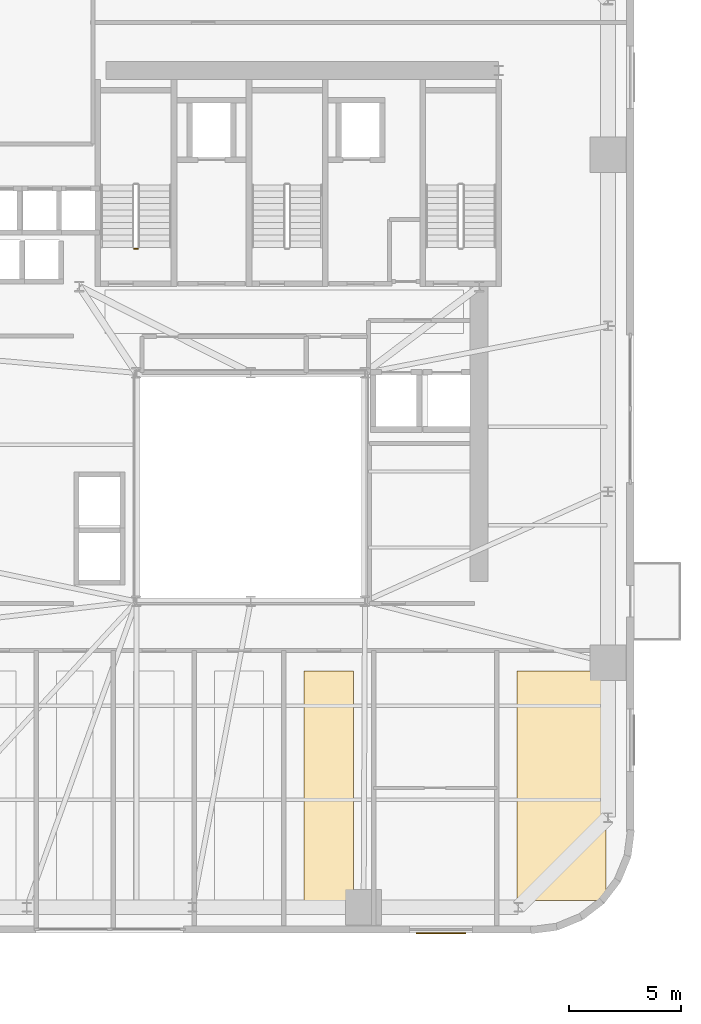
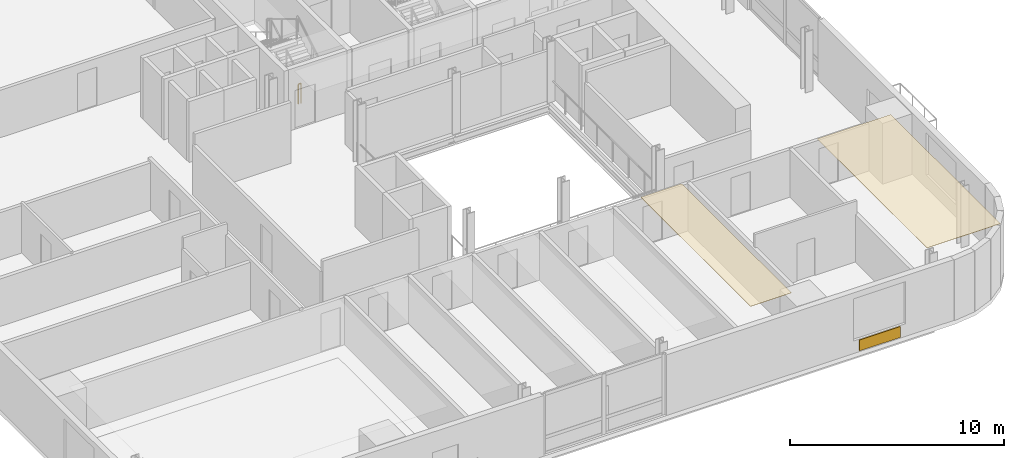
# One storey, part 11 of 14: 3 coverings, 1 railing.
"""IFC4 building model written with IfcOpenShell, lengths in metres."""

import ifcopenshell
import ifcopenshell.guid

model = None  # the IFC model being written
_history = None  # IfcOwnerHistory: only IFC2X3 demands one
_inside = {}  # id of a spatial element -> (the spatial element, [elements in it])
_under = {}  # id of a project, library or spatial element -> (it, [spatial elements below it])
_declared = {}  # id of a project -> (the project, [libraries it declares])
_typed = {}  # id of a type object -> (the type object, [elements of that type])
_made_of = {}  # id of a material, layer set ... -> (it, [elements and type objects made of it])


def new_model(schema):
    """Start an empty IFC model of exactly this schema.

    Asked for "IFC4X3", IfcOpenShell would pick the latest addendum, in which some entities
    have other attributes; the version numbers below select the first issue.
    IFC2X3 requires an IfcOwnerHistory on every rooted entity: one is made here for all.
    """
    global model, _history
    if schema == "IFC4X3":
        model = ifcopenshell.file(schema_version=(4, 3, 0, 0))
    else:
        model = ifcopenshell.file(schema=schema)
    _inside.clear()
    _under.clear()
    _declared.clear()
    _typed.clear()
    _made_of.clear()
    _history = None
    if model.schema == "IFC2X3":
        org = make("IfcOrganization", Name="unknown")
        user = make(
            "IfcPersonAndOrganization",
            ThePerson=make("IfcPerson", FamilyName="unknown"),
            TheOrganization=org,
        )
        app = make(
            "IfcApplication",
            ApplicationDeveloper=org,
            Version="unknown",
            ApplicationFullName="unknown",
            ApplicationIdentifier="unknown",
        )
        _history = make(
            "IfcOwnerHistory",
            OwningUser=user,
            OwningApplication=app,
            ChangeAction="ADDED",
            CreationDate=0,
        )
    return model


def make(cls, **values):
    """One entity of the class cls with the attributes given. An attribute that is None is left unset."""
    return model.create_entity(
        cls, **{name: value for name, value in values.items() if value is not None}
    )


def rooted(cls, **values):
    """An entity with a GlobalId (a new one), such as an element, a storey or a relation."""
    return make(cls, GlobalId=ifcopenshell.guid.new(), OwnerHistory=_history, **values)


def si_unit(unit_type, name, prefix=None):
    """IfcSIUnit, for example si_unit("LENGTHUNIT", "METRE", prefix="MILLI")."""
    return make("IfcSIUnit", UnitType=unit_type, Prefix=prefix, Name=name)


def assignment(units):
    """IfcUnitAssignment: the units of a project."""
    return None if units is None else make("IfcUnitAssignment", Units=units)


def point(xyz):
    """IfcCartesianPoint."""
    return None if xyz is None else make("IfcCartesianPoint", Coordinates=xyz)


def direction(xyz):
    """IfcDirection."""
    return None if xyz is None else make("IfcDirection", DirectionRatios=xyz)


def frame(location, z_axis=None, x_axis=None):
    """IfcAxis2Placement3D, a coordinate frame: its origin and axes. An axis left out is left unset."""
    return make(
        "IfcAxis2Placement3D",
        Location=point(location),
        Axis=direction(z_axis),
        RefDirection=direction(x_axis),
    )


def frame_2d(location, x_axis=None):
    """IfcAxis2Placement2D, a coordinate frame in the plane: its origin and x axis."""
    return make(
        "IfcAxis2Placement2D", Location=point(location), RefDirection=direction(x_axis)
    )


def origin():
    """The frame at (0, 0, 0) with its axes left unset."""
    return frame((0.0, 0.0, 0.0))


def origin_2d():
    """The frame at (0, 0) in the plane with its x axis left unset."""
    return frame_2d((0.0, 0.0))


def place(relative_to, where):
    """IfcLocalPlacement: puts the frame where relative to a parent placement (None: the world)."""
    return make(
        "IfcLocalPlacement", PlacementRelTo=relative_to, RelativePlacement=where
    )


def context(
    kind, dimensions, precision=None, world=None, true_north=None, identifier=None
):
    """IfcGeometricRepresentationContext, for example the 3D "Model" context."""
    return make(
        "IfcGeometricRepresentationContext",
        ContextIdentifier=identifier,
        ContextType=kind,
        CoordinateSpaceDimension=dimensions,
        Precision=precision,
        WorldCoordinateSystem=world,
        TrueNorth=true_north,
    )


def subcontext(parent, identifier, kind, view, scale=None):
    """IfcGeometricRepresentationSubContext, for example "Body" below "Model"."""
    return make(
        "IfcGeometricRepresentationSubContext",
        ContextIdentifier=identifier,
        ContextType=kind,
        ParentContext=parent,
        TargetScale=scale,
        TargetView=view,
    )


def project(units=None, contexts=None):
    """IfcProject with its units and contexts."""
    return rooted(
        "IfcProject",
        Name="project",
        RepresentationContexts=contexts,
        UnitsInContext=assignment(units),
    )


def spatial(cls, under=None, at=None, **own):
    """A site, building, storey or space (cls), placed at a placement, below another one or the project."""
    s = rooted(cls, ObjectPlacement=at, **own)
    if under is not None:
        _under.setdefault(under.id(), (under, []))[1].append(s)
    return s


def polyline(points):
    """IfcPolyline through the points."""
    return make("IfcPolyline", Points=[point(p) for p in points])


def profile(cls, at=None, kind="AREA", **sizes):
    """A parametric profile (cls). Its sizes go by their IFC names, for example OverallWidth=200.0."""
    return make(cls, ProfileType=kind, Position=at, **sizes)


def rectangle(**sizes):
    """IfcRectangleProfileDef."""
    return profile("IfcRectangleProfileDef", **sizes)


def outline(outer, holes=None, kind="AREA"):
    """IfcArbitraryClosedProfileDef: a profile drawn as a closed curve; with holes, ...WithVoids."""
    if holes is None:
        return make("IfcArbitraryClosedProfileDef", ProfileType=kind, OuterCurve=outer)
    return make(
        "IfcArbitraryProfileDefWithVoids",
        ProfileType=kind,
        OuterCurve=outer,
        InnerCurves=holes,
    )


def extrude(swept, where, along, depth):
    """IfcExtrudedAreaSolid: the profile swept, set in the frame where, extruded along a direction by depth."""
    return make(
        "IfcExtrudedAreaSolid",
        SweptArea=swept,
        Position=where,
        ExtrudedDirection=direction(along),
        Depth=depth,
    )


def shape(context_of_items, identifier, shape_type, items):
    """IfcShapeRepresentation: the items that make up one representation, for example the "Body"."""
    return make(
        "IfcShapeRepresentation",
        ContextOfItems=context_of_items,
        RepresentationIdentifier=identifier,
        RepresentationType=shape_type,
        Items=items,
    )


def source(mapping_origin, context_of_items, identifier, shape_type, items):
    """IfcRepresentationMap: a shape defined once, which mapped items show again and again."""
    return make(
        "IfcRepresentationMap",
        MappingOrigin=mapping_origin,
        MappedRepresentation=shape(context_of_items, identifier, shape_type, items),
    )


def transform(
    local_origin,
    x_axis=None,
    y_axis=None,
    z_axis=None,
    scale=None,
    scale2=None,
    scale3=None,
    uniform=True,
):
    """IfcCartesianTransformationOperator3D, or its non-uniform kind. x_axis, y_axis, z_axis: its Axis1, 2, 3."""
    if uniform:
        return make(
            "IfcCartesianTransformationOperator3D",
            Axis1=direction(x_axis),
            Axis2=direction(y_axis),
            LocalOrigin=point(local_origin),
            Scale=scale,
            Axis3=direction(z_axis),
        )
    return make(
        "IfcCartesianTransformationOperator3DnonUniform",
        Axis1=direction(x_axis),
        Axis2=direction(y_axis),
        LocalOrigin=point(local_origin),
        Scale=scale,
        Axis3=direction(z_axis),
        Scale2=scale2,
        Scale3=scale3,
    )


def mapped(mapping_source, mapping_target):
    """IfcMappedItem: shows the shape of a source again, moved by a transform."""
    return make(
        "IfcMappedItem", MappingSource=mapping_source, MappingTarget=mapping_target
    )


def material(Name=None, Category=None):
    """IfcMaterial."""
    return make("IfcMaterial", Name=Name, Category=Category)


def layer(
    of_material, thickness, ventilated=None, Name=None, Category=None, Priority=None
):
    """IfcMaterialLayer: one layer of a wall or slab, of a material (None: an air gap)."""
    return make(
        "IfcMaterialLayer",
        Material=of_material,
        LayerThickness=thickness,
        IsVentilated=ventilated,
        Name=Name,
        Category=Category,
        Priority=Priority,
    )


def layer_set(layers, Name=None):
    """IfcMaterialLayerSet."""
    return make("IfcMaterialLayerSet", MaterialLayers=layers, LayerSetName=Name)


def made_of(thing, what):
    """Note that an element or type object is made of a material, layer set ...; save() writes the relation."""
    if what is not None:
        _made_of.setdefault(what.id(), (what, []))[1].append(thing)
    return thing


def type_object(cls, material=None, **own):
    """A type object (cls), such as IfcWallType, which elements share."""
    return made_of(rooted(cls, **own), material)


def element(
    cls,
    number,
    at=None,
    inside=None,
    cuts=None,
    type_object=None,
    material=None,
    context=None,
    identifier="Body",
    shape_type=None,
    held_by="IfcProductDefinitionShape",
    body=None,
    shapes=None,
    **own,
):
    """One element of the class cls, such as IfcWall. Its Tag is "e" and its number.

    at: its placement. inside: the storey or other place that contains it. cuts: it is an
    opening in that element (IfcRelVoidsElement). A single representation is given by context,
    identifier, shape_type and body (its items); several are given by shapes. held_by: the class
    of the entity that holds the representations. save() writes the other relations.
    """
    e = rooted(cls, Tag="e%d" % number, ObjectPlacement=at, **own)
    if body is not None:
        shapes = [shape(context, identifier, shape_type, body)]
    if shapes is not None:
        e.Representation = make(held_by, Representations=shapes)
    if inside is not None:
        _inside.setdefault(inside.id(), (inside, []))[1].append(e)
    if cuts is not None:
        rooted(
            "IfcRelVoidsElement", RelatingBuildingElement=cuts, RelatedOpeningElement=e
        )
    if type_object is not None:
        _typed.setdefault(type_object.id(), (type_object, []))[1].append(e)
    return made_of(e, material)


def aggregate(whole, parts):
    """IfcRelAggregates: a whole, such as a stair, and the parts it consists of."""
    return rooted("IfcRelAggregates", RelatingObject=whole, RelatedObjects=parts)


def save(model, path):
    """Write the relations noted so far, then the file.

    IfcRelAggregates (storeys below a building ...), IfcRelContainedInSpatialStructure (elements
    in a storey), IfcRelDefinesByType, IfcRelAssociatesMaterial and IfcRelDeclares: one each for
    every whole, place, type object, material and project.
    """
    for whole, parts in _under.values():
        aggregate(whole, parts)
    for where, things in _inside.values():
        rooted(
            "IfcRelContainedInSpatialStructure",
            RelatedElements=things,
            RelatingStructure=where,
        )
    for kind, things in _typed.values():
        rooted("IfcRelDefinesByType", RelatedObjects=things, RelatingType=kind)
    for what, things in _made_of.values():
        rooted("IfcRelAssociatesMaterial", RelatedObjects=things, RelatingMaterial=what)
    for by, libraries in _declared.values():
        rooted("IfcRelDeclares", RelatingContext=by, RelatedDefinitions=libraries)
    model.write(path)


model = new_model("IFC4")

# Units and contexts
model_context = context("Model", 3, precision=1e-05, world=origin(), true_north=direction((0.0, 1.0)))
body_context = subcontext(model_context, "Body", "Model", "MODEL_VIEW")
ifc_project = project(units=[si_unit("LENGTHUNIT", "METRE"), si_unit("AREAUNIT", "SQUARE_METRE"), si_unit("VOLUMEUNIT", "CUBIC_METRE"), si_unit("PLANEANGLEUNIT", "RADIAN"), si_unit("MASSUNIT", "GRAM", prefix="KILO")], contexts=[model_context])

# Site, building, storey
site_placement = place(None, origin())
site = spatial("IfcSite", under=ifc_project, at=site_placement, CompositionType="ELEMENT")
building_placement = place(site_placement, origin())
building = spatial("IfcBuilding", under=site, at=building_placement, Name="Vardaveli Station Tower", CompositionType="ELEMENT")
storey_placement = place(building_placement, frame((0.0, 0.0, 140.89990234375)))
storey = spatial("IfcBuildingStorey", under=building, at=storey_placement, Name="L36", CompositionType="ELEMENT", Elevation=140.89990234375)

# Coverings
ifc_material_1 = material(Name="Perforated acoustic mineral ceiling")
ifc_layer_1 = layer(ifc_material_1, 0.02001953125, Name="Perforated acoustic mineral ceiling")
ifc_layer_set_1 = layer_set([ifc_layer_1], Name="Perforated acoustic mineral ceiling")
covering_type_1 = type_object("IfcCoveringType", Name="COV-CEIL-AC20", PredefinedType="CEILING", material=ifc_layer_set_1)
covering_1_placement = place(storey_placement, frame((0.0, 0.0, 3.445068359375)))
element("IfcCovering", 1, at=covering_1_placement, inside=storey, type_object=covering_type_1, Name="CEIL-L36-6", PredefinedType="CEILING", context=body_context, shape_type="SweptSolid", body=[
    extrude(outline(polyline([(38.681640625, 3.25), (40.884521484375, 3.25), (40.884521484375, 13.5), (38.681640625, 13.5), (38.681640625, 3.25)])), origin(), (0.0, 0.0, 1.0), 0.02001953125),
])
covering_2_placement = place(storey_placement, frame((0.0, 0.0, 3.445068359375)))
element("IfcCovering", 2, at=covering_2_placement, inside=storey, type_object=covering_type_1, Name="CEIL-L36-7", PredefinedType="CEILING", context=body_context, shape_type="SweptSolid", body=[
    extrude(outline(polyline([(48.1875, 3.25), (52.14990234375, 3.25), (52.14990234375, 13.5), (48.1875, 13.5), (48.1875, 3.25)])), origin(), (0.0, 0.0, 1.0), 0.02001953125),
])
ifc_material_2 = material(Name="Ventilated honed travertine stone cladding", Category="masonry")
ifc_layer_2 = layer(ifc_material_2, 0.044921875, Name="Ventilated honed travertine stone cladding")
ifc_layer_set_2 = layer_set([ifc_layer_2], Name="Ventilated honed travertine stone cladding")
covering_type_2 = type_object("IfcCoveringType", Name="COV-CLAD-TR45", PredefinedType="CLADDING", material=ifc_layer_set_2)
shared_shape_1 = source(origin(), body_context, "Body", "SweptSolid", [
    extrude(rectangle(XDim=2.199951171875, YDim=0.044921875, at=origin_2d()), origin(), (0.0, 0.0, 1.0), 0.6201171875),
])
covering_3_placement = place(storey_placement, frame((44.794921875, 1.785400390625, 0.070068359375), z_axis=(0.0, 0.0, 1.0), x_axis=(1.0, 0.0, 0.0)))
element("IfcCovering", 3, at=covering_3_placement, inside=storey, type_object=covering_type_2, Name="CLD-TR-L36-S", PredefinedType="CLADDING", context=body_context, shape_type="MappedRepresentation", body=[
    mapped(shared_shape_1, transform((0.0, 0.0, 0.0), scale=1.0)),
])

# Railing
ifc_material_3 = material(Name="Brushed AISI 316 stainless steel", Category="steel")
railing_type = type_object("IfcRailingType", Name="RL-GUARD-1150", PredefinedType="GUARDRAIL", material=ifc_material_3)
shared_shape_2 = source(origin(), body_context, "Body", "SweptSolid", [
    extrude(rectangle(XDim=0.048095703125, YDim=0.048095703125, at=origin_2d()), frame((0.0, 0.0, 1.1259765625), z_axis=(-1.0, 0.0, 0.0), x_axis=(0.0, -1.0, 0.0)), (0.0, 0.0, 1.0), 0.14990234375),
    extrude(rectangle(XDim=0.0419921875, YDim=0.0419921875, at=origin_2d()), origin(), (0.0, 0.0, 1.0), 1.101806640625),
    extrude(rectangle(XDim=0.0419921875, YDim=0.0419921875, at=origin_2d()), frame((-0.14990234375, 0.0, 0.0)), (0.0, 0.0, 1.0), 1.101806640625),
])
railing_placement = place(storey_placement, frame((31.25, 32.35009765625, 0.0)))
element("IfcRailing", 4, at=railing_placement, inside=storey, type_object=railing_type, Name="L36 ST-1 stair guard 4", PredefinedType="GUARDRAIL", context=body_context, shape_type="MappedRepresentation", body=[
    mapped(shared_shape_2, transform((0.0, 0.0, 0.0), scale=1.0)),
])

save(model, "model.ifc")
